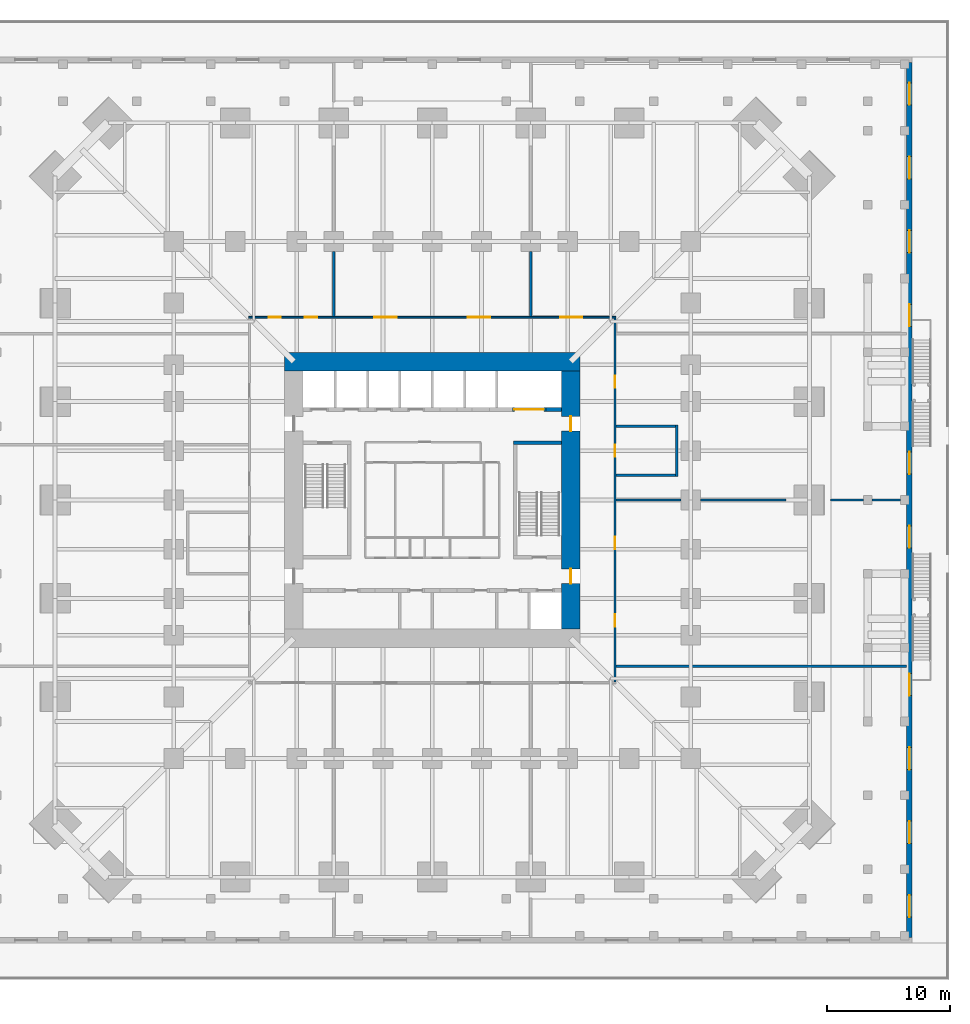
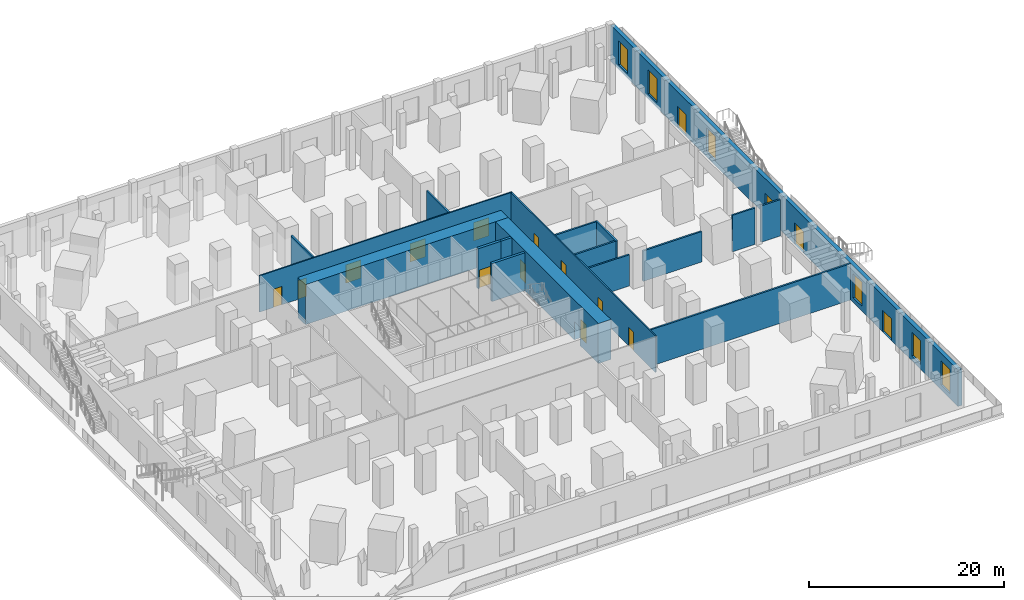
# One storey, part 14 of 22: 18 walls, 16 doors, 6 windows, 22 openings.
"""IFC4 building model written with IfcOpenShell, lengths in metres."""

from ifc_helpers import new_model, si_unit, direction, frame, frame_2d, origin, place, context, subcontext, project, spatial, rectangle, extrude, material, layer, layer_set, type_object, element, fill, save


model = new_model("IFC4")

# Units and contexts
model_context = context("Model", 3, precision=1e-05, world=origin(), true_north=direction((0.0, 1.0)))
body_context = subcontext(model_context, "Body", "Model", "MODEL_VIEW")
ifc_project = project(units=[si_unit("LENGTHUNIT", "METRE"), si_unit("AREAUNIT", "SQUARE_METRE"), si_unit("VOLUMEUNIT", "CUBIC_METRE"), si_unit("PLANEANGLEUNIT", "RADIAN"), si_unit("MASSUNIT", "GRAM", prefix="KILO")], contexts=[model_context])

# Site, building, storey
site_placement = place(None, origin())
site = spatial("IfcSite", under=ifc_project, at=site_placement, CompositionType="ELEMENT")
building_placement = place(site_placement, origin())
building = spatial("IfcBuilding", under=site, at=building_placement, Name="Peilmerk Tower", CompositionType="ELEMENT")
storey_placement = place(building_placement, frame((0.0, 0.0, 6.0)))
storey = spatial("IfcBuildingStorey", under=building, at=storey_placement, Name="L01", CompositionType="ELEMENT", Elevation=6.0)

# Wall, openings, doors, windows
ifc_material_1 = material(Name="Precast concrete C45/55, board-marked finish", Category="concrete")
ifc_layer_1 = layer(ifc_material_1, 0.449951171875)
ifc_layer_set_1 = layer_set([ifc_layer_1], Name="Precast concrete C45/55, board-marked finish")
wall_type_1 = type_object("IfcWallType", Name="EW1 450 precast concrete facade wall, board-marked", PredefinedType="SOLIDWALL", material=ifc_layer_set_1)
wall_1_placement = place(storey_placement, frame((38.77490234375, 35.550048828125, 0.0), z_axis=(0.0, 0.0, 1.0), x_axis=(0.0, -1.0, 0.0)))
wall_1 = element("IfcWall", 1, at=wall_1_placement, inside=storey, type_object=wall_type_1, Name="Facade wall E L01", PredefinedType="SOLIDWALL", context=body_context, shape_type="SweptSolid", body=[
    extrude(rectangle(XDim=71.10009765625, YDim=0.449951171875, at=frame_2d((35.550048828125, 0.0))), origin(), (0.0, 0.0, 1.0), 4.550048828125),
])
opening_1_placement = place(wall_1_placement, frame((1.64990234375, 0.0, 0.60009765625)))
opening_1 = element("IfcOpeningElement", 2, at=opening_1_placement, cuts=wall_1, Name="Opening W7", PredefinedType="OPENING", context=body_context, shape_type="SweptSolid", body=[
    extrude(rectangle(XDim=1.800048828125, YDim=3.0, at=frame_2d((0.89990234375, 1.5))), frame((0.0, 0.23486328125, 0.0), z_axis=(0.0, -1.0, 0.0), x_axis=(1.0, 0.0, 0.0)), (0.0, 0.0, 1.0), 0.469970703125),
])
opening_2_placement = place(wall_1_placement, frame((7.64990234375, 0.0, 0.60009765625)))
opening_2 = element("IfcOpeningElement", 3, at=opening_2_placement, cuts=wall_1, Name="Opening W7", PredefinedType="OPENING", context=body_context, shape_type="SweptSolid", body=[
    extrude(rectangle(XDim=1.800048828125, YDim=3.0, at=frame_2d((0.89990234375, 1.5))), frame((0.0, 0.23486328125, 0.0), z_axis=(0.0, -1.0, 0.0), x_axis=(1.0, 0.0, 0.0)), (0.0, 0.0, 1.0), 0.469970703125),
])
opening_3_placement = place(wall_1_placement, frame((19.64990234375, 0.0, 0.60009765625)))
opening_3 = element("IfcOpeningElement", 4, at=opening_3_placement, cuts=wall_1, Name="Opening W7", PredefinedType="OPENING", context=body_context, shape_type="SweptSolid", body=[
    extrude(rectangle(XDim=1.800048828125, YDim=3.0, at=frame_2d((0.89990234375, 1.5))), frame((0.0, 0.23486328125, 0.0), z_axis=(0.0, -1.0, 0.0), x_axis=(1.0, 0.0, 0.0)), (0.0, 0.0, 1.0), 0.469970703125),
])
opening_4_placement = place(wall_1_placement, frame((49.64990234375, 0.0, 0.60009765625)))
opening_4 = element("IfcOpeningElement", 5, at=opening_4_placement, cuts=wall_1, Name="Opening W7", PredefinedType="OPENING", context=body_context, shape_type="SweptSolid", body=[
    extrude(rectangle(XDim=1.800048828125, YDim=3.0, at=frame_2d((0.89990234375, 1.5))), frame((0.0, 0.23486328125, 0.0), z_axis=(0.0, -1.0, 0.0), x_axis=(1.0, 0.0, 0.0)), (0.0, 0.0, 1.0), 0.469970703125),
])
opening_5_placement = place(wall_1_placement, frame((61.64990234375, 0.0, 0.60009765625)))
opening_5 = element("IfcOpeningElement", 6, at=opening_5_placement, cuts=wall_1, Name="Opening W7", PredefinedType="OPENING", context=body_context, shape_type="SweptSolid", body=[
    extrude(rectangle(XDim=1.800048828125, YDim=3.0, at=frame_2d((0.89990234375, 1.5))), frame((0.0, 0.23486328125, 0.0), z_axis=(0.0, -1.0, 0.0), x_axis=(1.0, 0.0, 0.0)), (0.0, 0.0, 1.0), 0.469970703125),
])
opening_6_placement = place(wall_1_placement, frame((67.64990234375, 0.0, 0.60009765625)))
opening_6 = element("IfcOpeningElement", 7, at=opening_6_placement, cuts=wall_1, Name="Opening W7", PredefinedType="OPENING", context=body_context, shape_type="SweptSolid", body=[
    extrude(rectangle(XDim=1.800048828125, YDim=3.0, at=frame_2d((0.89990234375, 1.5))), frame((0.0, 0.23486328125, 0.0), z_axis=(0.0, -1.0, 0.0), x_axis=(1.0, 0.0, 0.0)), (0.0, 0.0, 1.0), 0.469970703125),
])
opening_7_placement = place(wall_1_placement, frame((13.64990234375, 0.0, 0.0)))
opening_7 = element("IfcOpeningElement", 8, at=opening_7_placement, cuts=wall_1, Name="Opening ED4", PredefinedType="OPENING", context=body_context, shape_type="SweptSolid", body=[
    extrude(rectangle(XDim=1.800048828125, YDim=2.699951171875, at=frame_2d((0.89990234375, 1.35009765625))), frame((0.0, 0.23486328125, 0.0), z_axis=(0.0, -1.0, 0.0), x_axis=(1.0, 0.0, 0.0)), (0.0, 0.0, 1.0), 0.469970703125),
])
opening_8_placement = place(wall_1_placement, frame((31.64990234375, 0.0, 0.0)))
opening_8 = element("IfcOpeningElement", 9, at=opening_8_placement, cuts=wall_1, Name="Opening ED4", PredefinedType="OPENING", context=body_context, shape_type="SweptSolid", body=[
    extrude(rectangle(XDim=1.800048828125, YDim=2.699951171875, at=frame_2d((0.89990234375, 1.35009765625))), frame((0.0, 0.23486328125, 0.0), z_axis=(0.0, -1.0, 0.0), x_axis=(1.0, 0.0, 0.0)), (0.0, 0.0, 1.0), 0.469970703125),
])
opening_9_placement = place(wall_1_placement, frame((37.64990234375, 0.0, 0.0)))
opening_9 = element("IfcOpeningElement", 10, at=opening_9_placement, cuts=wall_1, Name="Opening ED4", PredefinedType="OPENING", context=body_context, shape_type="SweptSolid", body=[
    extrude(rectangle(XDim=1.800048828125, YDim=2.699951171875, at=frame_2d((0.89990234375, 1.35009765625))), frame((0.0, 0.23486328125, 0.0), z_axis=(0.0, -1.0, 0.0), x_axis=(1.0, 0.0, 0.0)), (0.0, 0.0, 1.0), 0.469970703125),
])
opening_10_placement = place(wall_1_placement, frame((55.64990234375, 0.0, 0.0)))
opening_10 = element("IfcOpeningElement", 11, at=opening_10_placement, cuts=wall_1, Name="Opening ED4", PredefinedType="OPENING", context=body_context, shape_type="SweptSolid", body=[
    extrude(rectangle(XDim=1.800048828125, YDim=2.699951171875, at=frame_2d((0.89990234375, 1.35009765625))), frame((0.0, 0.23486328125, 0.0), z_axis=(0.0, -1.0, 0.0), x_axis=(1.0, 0.0, 0.0)), (0.0, 0.0, 1.0), 0.469970703125),
])
ifc_material_2 = material(Name="Aluminium frame, clear glazing", Category="aluminium")
door_type_1 = type_object("IfcDoorType", Name="ED4 1800x2700 terrace door pair, glazed", OperationType="DOUBLE_DOOR_DOUBLE_SWING", PredefinedType="DOOR", material=ifc_material_2)
door_1_placement = place(opening_7_placement, origin())
door_1 = element("IfcDoor", 12, at=door_1_placement, inside=storey, type_object=door_type_1, Name="Terrace door pair, glazed L01", OperationType="DOUBLE_DOOR_DOUBLE_SWING", OverallHeight=2.699951171875, OverallWidth=1.800048828125, PredefinedType="DOOR", context=body_context, shape_type="SweptSolid", body=[
    extrude(rectangle(XDim=1.800048828125, YDim=2.699951171875, at=frame_2d((0.89990234375, 1.35009765625))), frame((0.0, 0.02490234375, 0.0), z_axis=(0.0, -1.0, 0.0), x_axis=(1.0, 0.0, 0.0)), (0.0, 0.0, 1.0), 0.050048828125),
])
fill(opening_7, door_1)
door_2_placement = place(opening_8_placement, origin())
door_2 = element("IfcDoor", 13, at=door_2_placement, inside=storey, type_object=door_type_1, Name="Terrace door pair, glazed L01", OperationType="DOUBLE_DOOR_DOUBLE_SWING", OverallHeight=2.699951171875, OverallWidth=1.800048828125, PredefinedType="DOOR", context=body_context, shape_type="SweptSolid", body=[
    extrude(rectangle(XDim=1.800048828125, YDim=2.699951171875, at=frame_2d((0.89990234375, 1.35009765625))), frame((0.0, 0.02490234375, 0.0), z_axis=(0.0, -1.0, 0.0), x_axis=(1.0, 0.0, 0.0)), (0.0, 0.0, 1.0), 0.050048828125),
])
fill(opening_8, door_2)
door_3_placement = place(opening_9_placement, origin())
door_3 = element("IfcDoor", 14, at=door_3_placement, inside=storey, type_object=door_type_1, Name="Terrace door pair, glazed L01", OperationType="DOUBLE_DOOR_DOUBLE_SWING", OverallHeight=2.699951171875, OverallWidth=1.800048828125, PredefinedType="DOOR", context=body_context, shape_type="SweptSolid", body=[
    extrude(rectangle(XDim=1.800048828125, YDim=2.699951171875, at=frame_2d((0.89990234375, 1.35009765625))), frame((0.0, 0.02490234375, 0.0), z_axis=(0.0, -1.0, 0.0), x_axis=(1.0, 0.0, 0.0)), (0.0, 0.0, 1.0), 0.050048828125),
])
fill(opening_9, door_3)
door_4_placement = place(opening_10_placement, origin())
door_4 = element("IfcDoor", 15, at=door_4_placement, inside=storey, type_object=door_type_1, Name="Terrace door pair, glazed L01", OperationType="DOUBLE_DOOR_DOUBLE_SWING", OverallHeight=2.699951171875, OverallWidth=1.800048828125, PredefinedType="DOOR", context=body_context, shape_type="SweptSolid", body=[
    extrude(rectangle(XDim=1.800048828125, YDim=2.699951171875, at=frame_2d((0.89990234375, 1.35009765625))), frame((0.0, 0.02490234375, 0.0), z_axis=(0.0, -1.0, 0.0), x_axis=(1.0, 0.0, 0.0)), (0.0, 0.0, 1.0), 0.050048828125),
])
fill(opening_10, door_4)
ifc_material_3 = material(Name="Aluminium frame, clear double glazing", Category="aluminium")
window_type = type_object("IfcWindowType", Name="W7 1800x3000 podium window", PartitioningType="SINGLE_PANEL", PredefinedType="WINDOW", material=ifc_material_3)
window_1_placement = place(opening_1_placement, origin())
window_1 = element("IfcWindow", 16, at=window_1_placement, inside=storey, type_object=window_type, Name="Window W7 L01", OverallHeight=3.0, OverallWidth=1.800048828125, PartitioningType="SINGLE_PANEL", PredefinedType="WINDOW", context=body_context, shape_type="SweptSolid", body=[
    extrude(rectangle(XDim=1.800048828125, YDim=3.0, at=frame_2d((0.89990234375, 1.5))), frame((0.0, 0.030029296875, 0.0), z_axis=(0.0, -1.0, 0.0), x_axis=(1.0, 0.0, 0.0)), (0.0, 0.0, 1.0), 0.06005859375),
])
fill(opening_1, window_1)
window_2_placement = place(opening_2_placement, origin())
window_2 = element("IfcWindow", 17, at=window_2_placement, inside=storey, type_object=window_type, Name="Window W7 L01", OverallHeight=3.0, OverallWidth=1.800048828125, PartitioningType="SINGLE_PANEL", PredefinedType="WINDOW", context=body_context, shape_type="SweptSolid", body=[
    extrude(rectangle(XDim=1.800048828125, YDim=3.0, at=frame_2d((0.89990234375, 1.5))), frame((0.0, 0.030029296875, 0.0), z_axis=(0.0, -1.0, 0.0), x_axis=(1.0, 0.0, 0.0)), (0.0, 0.0, 1.0), 0.06005859375),
])
fill(opening_2, window_2)
window_3_placement = place(opening_3_placement, origin())
window_3 = element("IfcWindow", 18, at=window_3_placement, inside=storey, type_object=window_type, Name="Window W7 L01", OverallHeight=3.0, OverallWidth=1.800048828125, PartitioningType="SINGLE_PANEL", PredefinedType="WINDOW", context=body_context, shape_type="SweptSolid", body=[
    extrude(rectangle(XDim=1.800048828125, YDim=3.0, at=frame_2d((0.89990234375, 1.5))), frame((0.0, 0.030029296875, 0.0), z_axis=(0.0, -1.0, 0.0), x_axis=(1.0, 0.0, 0.0)), (0.0, 0.0, 1.0), 0.06005859375),
])
fill(opening_3, window_3)
window_4_placement = place(opening_4_placement, origin())
window_4 = element("IfcWindow", 19, at=window_4_placement, inside=storey, type_object=window_type, Name="Window W7 L01", OverallHeight=3.0, OverallWidth=1.800048828125, PartitioningType="SINGLE_PANEL", PredefinedType="WINDOW", context=body_context, shape_type="SweptSolid", body=[
    extrude(rectangle(XDim=1.800048828125, YDim=3.0, at=frame_2d((0.89990234375, 1.5))), frame((0.0, 0.030029296875, 0.0), z_axis=(0.0, -1.0, 0.0), x_axis=(1.0, 0.0, 0.0)), (0.0, 0.0, 1.0), 0.06005859375),
])
fill(opening_4, window_4)
window_5_placement = place(opening_5_placement, origin())
window_5 = element("IfcWindow", 20, at=window_5_placement, inside=storey, type_object=window_type, Name="Window W7 L01", OverallHeight=3.0, OverallWidth=1.800048828125, PartitioningType="SINGLE_PANEL", PredefinedType="WINDOW", context=body_context, shape_type="SweptSolid", body=[
    extrude(rectangle(XDim=1.800048828125, YDim=3.0, at=frame_2d((0.89990234375, 1.5))), frame((0.0, 0.030029296875, 0.0), z_axis=(0.0, -1.0, 0.0), x_axis=(1.0, 0.0, 0.0)), (0.0, 0.0, 1.0), 0.06005859375),
])
fill(opening_5, window_5)
window_6_placement = place(opening_6_placement, origin())
window_6 = element("IfcWindow", 21, at=window_6_placement, inside=storey, type_object=window_type, Name="Window W7 L01", OverallHeight=3.0, OverallWidth=1.800048828125, PartitioningType="SINGLE_PANEL", PredefinedType="WINDOW", context=body_context, shape_type="SweptSolid", body=[
    extrude(rectangle(XDim=1.800048828125, YDim=3.0, at=frame_2d((0.89990234375, 1.5))), frame((0.0, 0.030029296875, 0.0), z_axis=(0.0, -1.0, 0.0), x_axis=(1.0, 0.0, 0.0)), (0.0, 0.0, 1.0), 0.06005859375),
])
fill(opening_6, window_6)

# Wall, openings, doors
ifc_material_4 = material(Name="Calcium silicate block", Category="masonry")
ifc_layer_2 = layer(ifc_material_4, 0.14990234375)
ifc_layer_set_2 = layer_set([ifc_layer_2], Name="Calcium silicate block")
wall_type_2 = type_object("IfcWallType", Name="IW1 150 corridor partition, EI 60", PredefinedType="PARTITIONING", material=ifc_layer_set_2)
wall_2_placement = place(storey_placement, frame((-14.925048828125, 14.85009765625, 0.0), z_axis=(0.0, 0.0, 1.0), x_axis=(1.0, 0.0, 0.0)))
wall_2 = element("IfcWall", 22, at=wall_2_placement, inside=storey, type_object=wall_type_2, Name="Corridor wall N L01", PredefinedType="PARTITIONING", context=body_context, shape_type="SweptSolid", body=[
    extrude(rectangle(XDim=29.85009765625, YDim=0.14990234375, at=frame_2d((14.925048828125, 0.0))), origin(), (0.0, 0.0, 1.0), 4.550048828125),
])
opening_11_placement = place(wall_2_placement, frame((1.625, 0.0, 0.0)))
opening_11 = element("IfcOpeningElement", 23, at=opening_11_placement, cuts=wall_2, Name="Opening D1", PredefinedType="OPENING", context=body_context, shape_type="SweptSolid", body=[
    extrude(rectangle(XDim=1.0, YDim=2.300048828125, at=frame_2d((0.5, 1.14990234375))), frame((0.0, 0.0849609375, 0.0), z_axis=(0.0, -1.0, 0.0), x_axis=(1.0, 0.0, 0.0)), (0.0, 0.0, 1.0), 0.169921875),
])
opening_12_placement = place(wall_2_placement, frame((4.574951171875, 0.0, 0.0)))
opening_12 = element("IfcOpeningElement", 24, at=opening_12_placement, cuts=wall_2, Name="Opening D1", PredefinedType="OPENING", context=body_context, shape_type="SweptSolid", body=[
    extrude(rectangle(XDim=1.0, YDim=2.300048828125, at=frame_2d((0.5, 1.14990234375))), frame((0.0, 0.0849609375, 0.0), z_axis=(0.0, -1.0, 0.0), x_axis=(1.0, 0.0, 0.0)), (0.0, 0.0, 1.0), 0.169921875),
])
opening_13_placement = place(wall_2_placement, frame((10.22509765625, 0.0, 0.0)))
opening_13 = element("IfcOpeningElement", 25, at=opening_13_placement, cuts=wall_2, Name="Opening D2", PredefinedType="OPENING", context=body_context, shape_type="SweptSolid", body=[
    extrude(rectangle(XDim=1.800048828125, YDim=2.300048828125, at=frame_2d((0.89990234375, 1.14990234375))), frame((0.0, 0.0849609375, 0.0), z_axis=(0.0, -1.0, 0.0), x_axis=(1.0, 0.0, 0.0)), (0.0, 0.0, 1.0), 0.169921875),
])
opening_14_placement = place(wall_2_placement, frame((17.824951171875, 0.0, 0.0)))
opening_14 = element("IfcOpeningElement", 26, at=opening_14_placement, cuts=wall_2, Name="Opening D2", PredefinedType="OPENING", context=body_context, shape_type="SweptSolid", body=[
    extrude(rectangle(XDim=1.800048828125, YDim=2.300048828125, at=frame_2d((0.89990234375, 1.14990234375))), frame((0.0, 0.0849609375, 0.0), z_axis=(0.0, -1.0, 0.0), x_axis=(1.0, 0.0, 0.0)), (0.0, 0.0, 1.0), 0.169921875),
])
opening_15_placement = place(wall_2_placement, frame((25.324951171875, 0.0, 0.0)))
opening_15 = element("IfcOpeningElement", 27, at=opening_15_placement, cuts=wall_2, Name="Opening D2", PredefinedType="OPENING", context=body_context, shape_type="SweptSolid", body=[
    extrude(rectangle(XDim=1.800048828125, YDim=2.300048828125, at=frame_2d((0.89990234375, 1.14990234375))), frame((0.0, 0.0849609375, 0.0), z_axis=(0.0, -1.0, 0.0), x_axis=(1.0, 0.0, 0.0)), (0.0, 0.0, 1.0), 0.169921875),
])
ifc_material_5 = material(Name="Timber door in steel frame", Category="steel")
door_type_2 = type_object("IfcDoorType", Name="D1 1000x2300 room door, EI2 30", OperationType="SINGLE_SWING_LEFT", PredefinedType="DOOR", material=ifc_material_5)
door_5_placement = place(opening_11_placement, origin())
door_5 = element("IfcDoor", 28, at=door_5_placement, inside=storey, type_object=door_type_2, Name="Door Carrier reception L01", OperationType="SINGLE_SWING_LEFT", OverallHeight=2.300048828125, OverallWidth=1.0, PredefinedType="DOOR", context=body_context, shape_type="SweptSolid", body=[
    extrude(rectangle(XDim=1.0, YDim=2.300048828125, at=frame_2d((0.5, 1.14990234375))), frame((0.0, 0.02490234375, 0.0), z_axis=(0.0, -1.0, 0.0), x_axis=(1.0, 0.0, 0.0)), (0.0, 0.0, 1.0), 0.050048828125),
])
fill(opening_11, door_5)
door_6_placement = place(opening_12_placement, origin())
door_6 = element("IfcDoor", 29, at=door_6_placement, inside=storey, type_object=door_type_2, Name="Door Carrier reception L01", OperationType="SINGLE_SWING_LEFT", OverallHeight=2.300048828125, OverallWidth=1.0, PredefinedType="DOOR", context=body_context, shape_type="SweptSolid", body=[
    extrude(rectangle(XDim=1.0, YDim=2.300048828125, at=frame_2d((0.5, 1.14990234375))), frame((0.0, 0.02490234375, 0.0), z_axis=(0.0, -1.0, 0.0), x_axis=(1.0, 0.0, 0.0)), (0.0, 0.0, 1.0), 0.050048828125),
])
fill(opening_12, door_6)
ifc_material_6 = material(Name="Steel door in steel frame", Category="steel")
door_type_3 = type_object("IfcDoorType", Name="D2 1800x2300 double door, EI2 60", OperationType="DOUBLE_DOOR_DOUBLE_SWING", PredefinedType="DOOR", material=ifc_material_6)
door_7_placement = place(opening_13_placement, origin())
door_7 = element("IfcDoor", 30, at=door_7_placement, inside=storey, type_object=door_type_3, Name="Door Telecom carrier room C L01", OperationType="DOUBLE_DOOR_DOUBLE_SWING", OverallHeight=2.300048828125, OverallWidth=1.800048828125, PredefinedType="DOOR", context=body_context, shape_type="SweptSolid", body=[
    extrude(rectangle(XDim=1.800048828125, YDim=2.300048828125, at=frame_2d((0.89990234375, 1.14990234375))), frame((0.0, 0.02490234375, 0.0), z_axis=(0.0, -1.0, 0.0), x_axis=(1.0, 0.0, 0.0)), (0.0, 0.0, 1.0), 0.050048828125),
])
fill(opening_13, door_7)
door_8_placement = place(opening_14_placement, origin())
door_8 = element("IfcDoor", 31, at=door_8_placement, inside=storey, type_object=door_type_3, Name="Door Telecom carrier room C L01", OperationType="DOUBLE_DOOR_DOUBLE_SWING", OverallHeight=2.300048828125, OverallWidth=1.800048828125, PredefinedType="DOOR", context=body_context, shape_type="SweptSolid", body=[
    extrude(rectangle(XDim=1.800048828125, YDim=2.300048828125, at=frame_2d((0.89990234375, 1.14990234375))), frame((0.0, 0.02490234375, 0.0), z_axis=(0.0, -1.0, 0.0), x_axis=(1.0, 0.0, 0.0)), (0.0, 0.0, 1.0), 0.050048828125),
])
fill(opening_14, door_8)
door_9_placement = place(opening_15_placement, origin())
door_9 = element("IfcDoor", 32, at=door_9_placement, inside=storey, type_object=door_type_3, Name="Door Meet-me room A L01", OperationType="DOUBLE_DOOR_DOUBLE_SWING", OverallHeight=2.300048828125, OverallWidth=1.800048828125, PredefinedType="DOOR", context=body_context, shape_type="SweptSolid", body=[
    extrude(rectangle(XDim=1.800048828125, YDim=2.300048828125, at=frame_2d((0.89990234375, 1.14990234375))), frame((0.0, 0.02490234375, 0.0), z_axis=(0.0, -1.0, 0.0), x_axis=(1.0, 0.0, 0.0)), (0.0, 0.0, 1.0), 0.050048828125),
])
fill(opening_15, door_9)

wall_3_placement = place(storey_placement, frame((14.85009765625, -14.77490234375, 0.0), z_axis=(0.0, 0.0, 1.0), x_axis=(0.0, 1.0, 0.0)))
wall_3 = element("IfcWall", 33, at=wall_3_placement, inside=storey, type_object=wall_type_2, Name="Corridor wall E L01", PredefinedType="PARTITIONING", context=body_context, shape_type="SweptSolid", body=[
    extrude(rectangle(XDim=29.5498046875, YDim=0.14990234375, at=frame_2d((14.77490234375, 0.0))), origin(), (0.0, 0.0, 1.0), 4.550048828125),
])
opening_16_placement = place(wall_3_placement, frame((4.47509765625, 0.0, 0.0)))
opening_16 = element("IfcOpeningElement", 34, at=opening_16_placement, cuts=wall_3, Name="Opening D1", PredefinedType="OPENING", context=body_context, shape_type="SweptSolid", body=[
    extrude(rectangle(XDim=1.0, YDim=2.300048828125, at=frame_2d((0.5, 1.14990234375))), frame((0.0, 0.0849609375, 0.0), z_axis=(0.0, -1.0, 0.0), x_axis=(1.0, 0.0, 0.0)), (0.0, 0.0, 1.0), 0.169921875),
])
opening_17_placement = place(wall_3_placement, frame((10.77490234375, 0.0, 0.0)))
opening_17 = element("IfcOpeningElement", 35, at=opening_17_placement, cuts=wall_3, Name="Opening D1", PredefinedType="OPENING", context=body_context, shape_type="SweptSolid", body=[
    extrude(rectangle(XDim=1.0, YDim=2.300048828125, at=frame_2d((0.5, 1.14990234375))), frame((0.0, 0.0849609375, 0.0), z_axis=(0.0, -1.0, 0.0), x_axis=(1.0, 0.0, 0.0)), (0.0, 0.0, 1.0), 0.169921875),
])
opening_18_placement = place(wall_3_placement, frame((23.875, 0.0, 0.0)))
opening_18 = element("IfcOpeningElement", 36, at=opening_18_placement, cuts=wall_3, Name="Opening D1", PredefinedType="OPENING", context=body_context, shape_type="SweptSolid", body=[
    extrude(rectangle(XDim=1.0, YDim=2.300048828125, at=frame_2d((0.5, 1.14990234375))), frame((0.0, 0.0849609375, 0.0), z_axis=(0.0, -1.0, 0.0), x_axis=(1.0, 0.0, 0.0)), (0.0, 0.0, 1.0), 0.169921875),
])
opening_19_placement = place(wall_3_placement, frame((18.27490234375, 0.0, 0.0)))
opening_19 = element("IfcOpeningElement", 37, at=opening_19_placement, cuts=wall_3, Name="Opening D1", PredefinedType="OPENING", context=body_context, shape_type="SweptSolid", body=[
    extrude(rectangle(XDim=1.0, YDim=2.300048828125, at=frame_2d((0.5, 1.14990234375))), frame((0.0, 0.0849609375, 0.0), z_axis=(0.0, -1.0, 0.0), x_axis=(1.0, 0.0, 0.0)), (0.0, 0.0, 1.0), 0.169921875),
])
door_10_placement = place(opening_16_placement, frame((1.0, 0.0, 0.0), z_axis=(0.0, 0.0, 1.0), x_axis=(-1.0, 0.0, 0.0)))
door_10 = element("IfcDoor", 38, at=door_10_placement, inside=storey, type_object=door_type_2, Name="Door Fibre entry room L01", OperationType="SINGLE_SWING_LEFT", OverallHeight=2.300048828125, OverallWidth=1.0, PredefinedType="DOOR", context=body_context, shape_type="SweptSolid", body=[
    extrude(rectangle(XDim=1.0, YDim=2.300048828125, at=frame_2d((0.5, 1.14990234375))), frame((0.0, 0.02490234375, 0.0), z_axis=(0.0, -1.0, 0.0), x_axis=(1.0, 0.0, 0.0)), (0.0, 0.0, 1.0), 0.050048828125),
])
fill(opening_16, door_10)
door_11_placement = place(opening_17_placement, frame((1.0, 0.0, 0.0), z_axis=(0.0, 0.0, 1.0), x_axis=(-1.0, 0.0, 0.0)))
door_11 = element("IfcDoor", 39, at=door_11_placement, inside=storey, type_object=door_type_2, Name="Door Fibre entry room L01", OperationType="SINGLE_SWING_LEFT", OverallHeight=2.300048828125, OverallWidth=1.0, PredefinedType="DOOR", context=body_context, shape_type="SweptSolid", body=[
    extrude(rectangle(XDim=1.0, YDim=2.300048828125, at=frame_2d((0.5, 1.14990234375))), frame((0.0, 0.02490234375, 0.0), z_axis=(0.0, -1.0, 0.0), x_axis=(1.0, 0.0, 0.0)), (0.0, 0.0, 1.0), 0.050048828125),
])
fill(opening_17, door_11)
door_12_placement = place(opening_18_placement, frame((1.0, 0.0, 0.0), z_axis=(0.0, 0.0, 1.0), x_axis=(-1.0, 0.0, 0.0)))
door_12 = element("IfcDoor", 40, at=door_12_placement, inside=storey, type_object=door_type_2, Name="Door Splicing room L01", OperationType="SINGLE_SWING_LEFT", OverallHeight=2.300048828125, OverallWidth=1.0, PredefinedType="DOOR", context=body_context, shape_type="SweptSolid", body=[
    extrude(rectangle(XDim=1.0, YDim=2.300048828125, at=frame_2d((0.5, 1.14990234375))), frame((0.0, 0.02490234375, 0.0), z_axis=(0.0, -1.0, 0.0), x_axis=(1.0, 0.0, 0.0)), (0.0, 0.0, 1.0), 0.050048828125),
])
fill(opening_18, door_12)
door_13_placement = place(opening_19_placement, frame((1.0, 0.0, 0.0), z_axis=(0.0, 0.0, 1.0), x_axis=(-1.0, 0.0, 0.0)))
door_13 = element("IfcDoor", 41, at=door_13_placement, inside=storey, type_object=door_type_2, Name="Door Customer meeting room L01", OperationType="SINGLE_SWING_LEFT", OverallHeight=2.300048828125, OverallWidth=1.0, PredefinedType="DOOR", context=body_context, shape_type="SweptSolid", body=[
    extrude(rectangle(XDim=1.0, YDim=2.300048828125, at=frame_2d((0.5, 1.14990234375))), frame((0.0, 0.02490234375, 0.0), z_axis=(0.0, -1.0, 0.0), x_axis=(1.0, 0.0, 0.0)), (0.0, 0.0, 1.0), 0.050048828125),
])
fill(opening_19, door_13)

# Walls
ifc_layer_3 = layer(ifc_material_4, 0.199951171875)
ifc_layer_set_3 = layer_set([ifc_layer_3], Name="Calcium silicate block")
wall_type_3 = type_object("IfcWallType", Name="IW2 200 room separating wall, EI 120", PredefinedType="PARTITIONING", material=ifc_layer_set_3)
wall_4_placement = place(storey_placement, frame((38.550048828125, -13.5, 0.0), z_axis=(0.0, 0.0, 1.0), x_axis=(-1.0, 0.0, 0.0)))
element("IfcWall", 42, at=wall_4_placement, inside=storey, type_object=wall_type_3, Name="Room separating wall SE L01", PredefinedType="PARTITIONING", context=body_context, shape_type="SweptSolid", body=[
    extrude(rectangle(XDim=23.625, YDim=0.199951171875, at=frame_2d((11.8125, 0.0))), origin(), (0.0, 0.0, 1.0), 4.550048828125),
])
for number, where, z_axis, x_axis, name in (
    (43, (-8.0, 14.925048828125, 0.0), (0.0, 0.0, 1.0), (0.0, 1.0, 0.0), "Room separating wall N1 L01"),
    (44, (8.0, 14.925048828125, 0.0), (0.0, 0.0, 1.0), (0.0, 1.0, 0.0), "Room separating wall N2 L01"),
    (45, (14.925048828125, 0.0, 0.0), (0.0, 0.0, 1.0), (1.0, 0.0, 0.0), "Room separating wall E1 L01"),
):
    element("IfcWall", number, at=place(storey_placement, frame(where, z_axis=z_axis, x_axis=x_axis)), inside=storey, type_object=wall_type_3, Name=name, PredefinedType="PARTITIONING", context=body_context, shape_type="SweptSolid", body=[
        extrude(rectangle(XDim=5.27490234375, YDim=0.199951171875, at=frame_2d((2.637451171875, 0.0))), origin(), (0.0, 0.0, 1.0), 3.909912109375),
    ])
wall_5_placement = place(storey_placement, frame((21.800048828125, 0.0, 0.0), z_axis=(0.0, 0.0, 1.0), x_axis=(1.0, 0.0, 0.0)))
element("IfcWall", 46, at=wall_5_placement, inside=storey, type_object=wall_type_3, Name="Room separating wall E1b L01", PredefinedType="PARTITIONING", context=body_context, shape_type="SweptSolid", body=[
    extrude(rectangle(XDim=6.9560546875, YDim=0.199951171875, at=frame_2d((3.47802734375, 0.0))), origin(), (0.0, 0.0, 1.0), 3.81005859375),
])
wall_6_placement = place(storey_placement, frame((32.351806640625, 0.0, 0.0), z_axis=(0.0, 0.0, 1.0), x_axis=(1.0, 0.0, 0.0)))
element("IfcWall", 47, at=wall_6_placement, inside=storey, type_object=wall_type_3, Name="Room separating wall E1c L01", PredefinedType="PARTITIONING", context=body_context, shape_type="SweptSolid", body=[
    extrude(rectangle(XDim=2.6982421875, YDim=0.199951171875, at=frame_2d((1.34912109375, 0.0))), origin(), (0.0, 0.0, 1.0), 4.550048828125),
])
wall_7_placement = place(storey_placement, frame((35.75, 0.0, 0.0), z_axis=(0.0, 0.0, 1.0), x_axis=(1.0, 0.0, 0.0)))
element("IfcWall", 48, at=wall_7_placement, inside=storey, type_object=wall_type_3, Name="Room separating wall E1d L01", PredefinedType="PARTITIONING", context=body_context, shape_type="SweptSolid", body=[
    extrude(rectangle(XDim=2.300048828125, YDim=0.199951171875, at=frame_2d((1.14990234375, 0.0))), origin(), (0.0, 0.0, 1.0), 4.550048828125),
])
wall_8_placement = place(storey_placement, frame((19.85009765625, 1.89990234375, 0.0), z_axis=(0.0, 0.0, 1.0), x_axis=(0.0, 1.0, 0.0)))
element("IfcWall", 49, at=wall_8_placement, inside=storey, type_object=wall_type_3, Name="Room separating wall Customer meeting room L01", PredefinedType="PARTITIONING", context=body_context, shape_type="SweptSolid", body=[
    extrude(rectangle(XDim=4.2001953125, YDim=0.199951171875, at=frame_2d((2.10009765625, 0.0))), origin(), (0.0, 0.0, 1.0), 4.550048828125),
])
for number, where, z_axis, x_axis, name in (
    (50, (14.925048828125, 2.0, 0.0), (0.0, 0.0, 1.0), (1.0, 0.0, 0.0), "Room separating wall Customer meeting room L01"),
    (51, (14.925048828125, 6.0, 0.0), (0.0, 0.0, 1.0), (1.0, 0.0, 0.0), "Room separating wall Customer meeting room L01"),
):
    element("IfcWall", number, at=place(storey_placement, frame(where, z_axis=z_axis, x_axis=x_axis)), inside=storey, type_object=wall_type_3, Name=name, PredefinedType="PARTITIONING", context=body_context, shape_type="SweptSolid", body=[
        extrude(rectangle(XDim=4.824951171875, YDim=0.199951171875, at=frame_2d((2.41259765625, 0.0))), origin(), (0.0, 0.0, 1.0), 4.550048828125),
    ])
ifc_material_7 = material(Name="Concrete C35/45", Category="concrete")
ifc_layer_4 = layer(ifc_material_7, 0.300048828125)
ifc_layer_set_4 = layer_set([ifc_layer_4], Name="Concrete C35/45")
wall_type_4 = type_object("IfcWallType", Name="IW3 300 concrete stair enclosure wall, EI 120", PredefinedType="SOLIDWALL", material=ifc_layer_set_4)
wall_9_placement = place(storey_placement, frame((6.60009765625, 4.64990234375, 0.0), z_axis=(0.0, 0.0, 1.0), x_axis=(1.0, 0.0, 0.0)))
element("IfcWall", 52, at=wall_9_placement, inside=storey, type_object=wall_type_4, Name="Stair 2 enclosure L01", PredefinedType="SOLIDWALL", context=body_context, shape_type="SweptSolid", body=[
    extrude(rectangle(XDim=3.89990234375, YDim=0.300048828125, at=frame_2d((1.949951171875, 0.0))), origin(), (0.0, 0.0, 1.0), 4.75),
])

# Wall, opening, door
ifc_layer_5 = layer(ifc_material_4, 0.300048828125)
ifc_layer_set_5 = layer_set([ifc_layer_5], Name="Calcium silicate block")
wall_type_5 = type_object("IfcWallType", Name="SH2 300 lift landing door panel, EI 120", PredefinedType="PARTITIONING", material=ifc_layer_set_5)
wall_10_placement = place(storey_placement, frame((6.52490234375, 7.35009765625, 0.0), z_axis=(0.0, 0.0, 1.0), x_axis=(1.0, 0.0, 0.0)))
wall_10 = element("IfcWall", 53, at=wall_10_placement, inside=storey, type_object=wall_type_5, Name="Lift door panel N GL1 L01", PredefinedType="PARTITIONING", context=body_context, shape_type="SweptSolid", body=[
    extrude(rectangle(XDim=2.7001953125, YDim=0.300048828125, at=frame_2d((1.35009765625, 0.0))), origin(), (0.0, 0.0, 1.0), 5.0),
])
opening_20_placement = place(wall_10_placement, frame((0.14990234375, 0.0, 0.0)))
opening_20 = element("IfcOpeningElement", 54, at=opening_20_placement, cuts=wall_10, Name="Opening LD3", PredefinedType="OPENING", context=body_context, shape_type="SweptSolid", body=[
    extrude(rectangle(XDim=2.39990234375, YDim=2.300048828125, at=frame_2d((1.199951171875, 1.14990234375))), frame((0.0, 0.159912109375, 0.0), z_axis=(0.0, -1.0, 0.0), x_axis=(1.0, 0.0, 0.0)), (0.0, 0.0, 1.0), 0.320068359375),
])
ifc_material_8 = material(Name="Stainless steel landing door", Category="steel")
door_type_4 = type_object("IfcDoorType", Name="LD3 2400x2300 lift landing door, sliding, EI2 60", OperationType="SLIDING_TO_LEFT", PredefinedType="DOOR", material=ifc_material_8)
door_14_placement = place(opening_20_placement, frame((2.39990234375, 0.0, 0.0), z_axis=(0.0, 0.0, 1.0), x_axis=(-1.0, 0.0, 0.0)))
door_14 = element("IfcDoor", 55, at=door_14_placement, inside=storey, type_object=door_type_4, Name="Lift landing door GL1 L01", OperationType="SLIDING_TO_LEFT", OverallHeight=2.300048828125, OverallWidth=2.39990234375, PredefinedType="DOOR", context=body_context, shape_type="SweptSolid", body=[
    extrude(rectangle(XDim=2.39990234375, YDim=2.300048828125, at=frame_2d((1.199951171875, 1.14990234375))), frame((0.0, 0.02490234375, 0.0), z_axis=(0.0, -1.0, 0.0), x_axis=(1.0, 0.0, 0.0)), (0.0, 0.0, 1.0), 0.050048828125),
])
fill(opening_20, door_14)

# Wall
ifc_material_9 = material(Name="Concrete C55/67", Category="concrete")
ifc_layer_6 = layer(ifc_material_9, 1.5)
ifc_layer_set_6 = layer_set([ifc_layer_6], Name="Concrete C55/67")
wall_type_6 = type_object("IfcWallType", Name="SW1 1500 core wall", PredefinedType="SHEAR", material=ifc_layer_set_6)
wall_11_placement = place(storey_placement, frame((-12.0, 11.25, 0.0), z_axis=(0.0, 0.0, 1.0), x_axis=(1.0, 0.0, 0.0)))
element("IfcWall", 56, at=wall_11_placement, inside=storey, type_object=wall_type_6, Name="Core wall N L01", PredefinedType="SHEAR", context=body_context, shape_type="SweptSolid", body=[
    extrude(rectangle(XDim=24.0, YDim=1.5, at=frame_2d((12.0, 0.0))), origin(), (0.0, 0.0, 1.0), 5.0),
])

# Wall, openings, doors
wall_12_placement = place(storey_placement, frame((11.25, 10.5, 0.0), z_axis=(0.0, 0.0, 1.0), x_axis=(0.0, -1.0, 0.0)))
wall_12 = element("IfcWall", 57, at=wall_12_placement, inside=storey, type_object=wall_type_6, Name="Core wall E L01", PredefinedType="SHEAR", context=body_context, shape_type="SweptSolid", body=[
    extrude(rectangle(XDim=21.0, YDim=1.5, at=frame_2d((10.5, 0.0))), origin(), (0.0, 0.0, 1.0), 5.0),
])
opening_21_placement = place(wall_12_placement, frame((3.699951171875, 0.0, 0.0)))
opening_21 = element("IfcOpeningElement", 58, at=opening_21_placement, cuts=wall_12, Name="Opening D3", PredefinedType="OPENING", context=body_context, shape_type="SweptSolid", body=[
    extrude(rectangle(XDim=1.199951171875, YDim=2.300048828125, at=frame_2d((0.60009765625, 1.14990234375))), frame((0.0, 0.760009765625, 0.0), z_axis=(0.0, -1.0, 0.0), x_axis=(1.0, 0.0, 0.0)), (0.0, 0.0, 1.0), 1.52001953125),
])
opening_22_placement = place(wall_12_placement, frame((16.10009765625, 0.0, 0.0)))
opening_22 = element("IfcOpeningElement", 59, at=opening_22_placement, cuts=wall_12, Name="Opening D3", PredefinedType="OPENING", context=body_context, shape_type="SweptSolid", body=[
    extrude(rectangle(XDim=1.199951171875, YDim=2.300048828125, at=frame_2d((0.60009765625, 1.14990234375))), frame((0.0, 0.760009765625, 0.0), z_axis=(0.0, -1.0, 0.0), x_axis=(1.0, 0.0, 0.0)), (0.0, 0.0, 1.0), 1.52001953125),
])
door_type_5 = type_object("IfcDoorType", Name="D3 1200x2300 core door, EI2 60", OperationType="SINGLE_SWING_LEFT", PredefinedType="DOOR", material=ifc_material_6)
door_15_placement = place(opening_21_placement, frame((1.199951171875, 0.0, 0.0), z_axis=(0.0, 0.0, 1.0), x_axis=(-1.0, 0.0, 0.0)))
door_15 = element("IfcDoor", 60, at=door_15_placement, inside=storey, type_object=door_type_5, Name="Core door L01", OperationType="SINGLE_SWING_LEFT", OverallHeight=2.300048828125, OverallWidth=1.199951171875, PredefinedType="DOOR", context=body_context, shape_type="SweptSolid", body=[
    extrude(rectangle(XDim=1.199951171875, YDim=2.300048828125, at=frame_2d((0.60009765625, 1.14990234375))), frame((0.0, 0.02490234375, 0.0), z_axis=(0.0, -1.0, 0.0), x_axis=(1.0, 0.0, 0.0)), (0.0, 0.0, 1.0), 0.050048828125),
])
fill(opening_21, door_15)
door_16_placement = place(opening_22_placement, frame((1.199951171875, 0.0, 0.0), z_axis=(0.0, 0.0, 1.0), x_axis=(-1.0, 0.0, 0.0)))
door_16 = element("IfcDoor", 61, at=door_16_placement, inside=storey, type_object=door_type_5, Name="Core door L01", OperationType="SINGLE_SWING_LEFT", OverallHeight=2.300048828125, OverallWidth=1.199951171875, PredefinedType="DOOR", context=body_context, shape_type="SweptSolid", body=[
    extrude(rectangle(XDim=1.199951171875, YDim=2.300048828125, at=frame_2d((0.60009765625, 1.14990234375))), frame((0.0, 0.02490234375, 0.0), z_axis=(0.0, -1.0, 0.0), x_axis=(1.0, 0.0, 0.0)), (0.0, 0.0, 1.0), 0.050048828125),
])
fill(opening_22, door_16)

# Wall
ifc_layer_7 = layer(ifc_material_9, 0.300048828125)
ifc_layer_set_7 = layer_set([ifc_layer_7], Name="Concrete C55/67")
wall_type_7 = type_object("IfcWallType", Name="SW2 300 lift bank pier", PredefinedType="SHEAR", material=ifc_layer_set_7)
wall_13_placement = place(storey_placement, frame((9.22509765625, 7.35009765625, 0.0), z_axis=(0.0, 0.0, 1.0), x_axis=(1.0, 0.0, 0.0)))
element("IfcWall", 62, at=wall_13_placement, inside=storey, type_object=wall_type_7, Name="Lift bank pier N L01", PredefinedType="SHEAR", context=body_context, shape_type="SweptSolid", body=[
    extrude(rectangle(XDim=1.27490234375, YDim=0.300048828125, at=frame_2d((0.637451171875, 0.0))), origin(), (0.0, 0.0, 1.0), 5.0),
])

save(model, "model.ifc")
